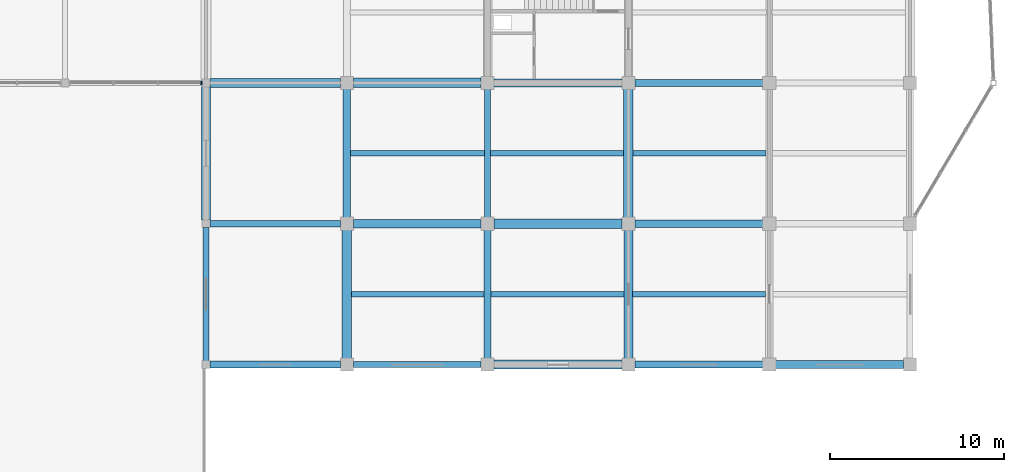
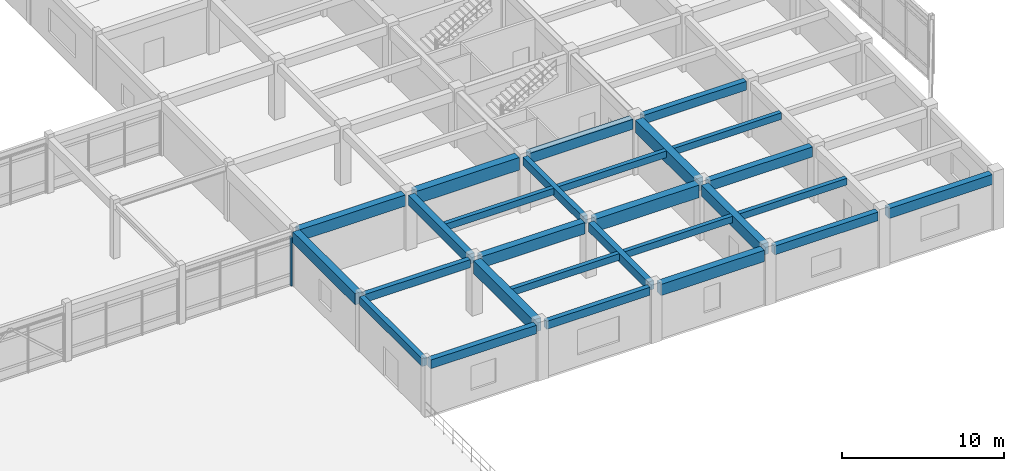
# One storey, part 36 of 89: 27 beams, 1 member, 1 element without a shape of its own.
"""IFC4 building model written with IfcOpenShell, lengths in metres."""

from ifc_helpers import new_model, si_unit, direction, frame, origin, origin_2d, place, context, subcontext, project, spatial, rectangle, extrude, material, layer, layer_set, material_profile, profile_set, type_object, element, aggregate, save


model = new_model("IFC4")

# Units and contexts
model_context = context("Model", 3, precision=1e-05, world=origin(), true_north=direction((0.0, 1.0)))
body_context = subcontext(model_context, "Body", "Model", "MODEL_VIEW")
ifc_project = project(units=[si_unit("LENGTHUNIT", "METRE"), si_unit("AREAUNIT", "SQUARE_METRE"), si_unit("VOLUMEUNIT", "CUBIC_METRE"), si_unit("PLANEANGLEUNIT", "RADIAN"), si_unit("MASSUNIT", "GRAM", prefix="KILO")], contexts=[model_context])

# Site, building, storey
site_placement = place(None, origin())
site = spatial("IfcSite", under=ifc_project, at=site_placement, CompositionType="ELEMENT")
building_placement = place(site_placement, origin())
building = spatial("IfcBuilding", under=site, at=building_placement, Name="Vaudrelin Polytechnic", CompositionType="ELEMENT")
storey_placement = place(building_placement, frame((0.0, 0.0, 9.68994140625)))
storey = spatial("IfcBuildingStorey", under=building, at=storey_placement, Name="L02", CompositionType="ELEMENT", Elevation=9.68994140625)

# Beams
ifc_material_1 = material(Name="Concrete 40 MPa", Category="concrete")
ifc_material_profile_1 = material_profile(ifc_material_1, rectangle(XDim=0.35009765625, YDim=0.60009765625, at=origin_2d()), Name="RC350x600")
ifc_profile_set_1 = profile_set([ifc_material_profile_1], Name="Concrete 40 MPa")
beam_type_1 = type_object("IfcBeamType", Name="BM-BM-RC3560", PredefinedType="BEAM", material=ifc_profile_set_1)
beam_1_placement = place(storey_placement, frame((129.60009765625, 16.409912109375, 3.840087890625), z_axis=(0.0, 1.0, 0.0), x_axis=(-1.0, 0.0, 0.0)))
element("IfcBeam", 1, at=beam_1_placement, inside=storey, type_object=beam_type_1, Name="L02 Y-beam 17-3", PredefinedType="BEAM", context=body_context, shape_type="SweptSolid", body=[
    extrude(rectangle(XDim=0.35009765625, YDim=0.60009765625, at=origin_2d()), origin(), (0.0, 0.0, 1.0), 7.68017578125),
])
beam_2_placement = place(storey_placement, frame((145.800048828125, 24.659912109375, 3.840087890625), z_axis=(0.0, 1.0, 0.0), x_axis=(-1.0, 0.0, 0.0)))
element("IfcBeam", 2, at=beam_2_placement, inside=storey, type_object=beam_type_1, Name="L02 Y-beam 19-4", PredefinedType="BEAM", context=body_context, shape_type="SweptSolid", body=[
    extrude(rectangle(XDim=0.35009765625, YDim=0.60009765625, at=origin_2d()), origin(), (0.0, 0.0, 1.0), 7.380126953125),
])
beam_3_placement = place(storey_placement, frame((129.821044921875, 24.300048828125, 3.840087890625), z_axis=(1.0, 0.0, 0.0), x_axis=(0.0, 1.0, 0.0)))
element("IfcBeam", 3, at=beam_3_placement, inside=storey, type_object=beam_type_1, Name="L02 X-beam 17-4", PredefinedType="BEAM", context=body_context, shape_type="SweptSolid", body=[
    extrude(rectangle(XDim=0.35009765625, YDim=0.60009765625, at=origin_2d()), origin(), (0.0, 0.0, 1.0), 7.508056640625),
])
beam_4_placement = place(storey_placement, frame((138.071044921875, 16.199951171875, 3.840087890625), z_axis=(1.0, 0.0, 0.0), x_axis=(0.0, 1.0, 0.0)))
element("IfcBeam", 4, at=beam_4_placement, inside=storey, type_object=beam_type_1, Name="L02 X-beam 18-3", PredefinedType="BEAM", context=body_context, shape_type="SweptSolid", body=[
    extrude(rectangle(XDim=0.35009765625, YDim=0.60009765625, at=origin_2d()), origin(), (0.0, 0.0, 1.0), 7.35791015625),
])
ifc_material_profile_2 = material_profile(ifc_material_1, rectangle(XDim=0.39990234375, YDim=0.64990234375, at=origin_2d()), Name="RC400x650")
ifc_profile_set_2 = profile_set([ifc_material_profile_2], Name="Concrete 40 MPa")
beam_type_2 = type_object("IfcBeamType", Name="BM-BM-RC4065", PredefinedType="BEAM", material=ifc_profile_set_2)
beam_5_placement = place(storey_placement, frame((145.800048828125, 16.56005859375, 3.81494140625), z_axis=(0.0, 1.0, 0.0), x_axis=(-1.0, 0.0, 0.0)))
element("IfcBeam", 5, at=beam_5_placement, inside=storey, type_object=beam_type_2, Name="L02 Y-beam 19-3", PredefinedType="BEAM", context=body_context, shape_type="SweptSolid", body=[
    extrude(rectangle(XDim=0.39990234375, YDim=0.64990234375, at=origin_2d()), origin(), (0.0, 0.0, 1.0), 7.3798828125),
])
beam_6_placement = place(storey_placement, frame((154.27099609375, 32.39990234375, 3.81494140625), z_axis=(1.0, 0.0, 0.0), x_axis=(0.0, 1.0, 0.0)))
element("IfcBeam", 6, at=beam_6_placement, inside=storey, type_object=beam_type_2, Name="L02 X-beam 20-5", PredefinedType="BEAM", context=body_context, shape_type="SweptSolid", body=[
    extrude(rectangle(XDim=0.39990234375, YDim=0.64990234375, at=origin_2d()), origin(), (0.0, 0.0, 1.0), 7.35791015625),
])
ifc_material_profile_3 = material_profile(ifc_material_1, rectangle(XDim=0.449951171875, YDim=0.75, at=origin_2d()), Name="RC450x750")
ifc_profile_set_3 = profile_set([ifc_material_profile_3], Name="Concrete 40 MPa")
beam_type_3 = type_object("IfcBeamType", Name="BM-BM-RC4575", PredefinedType="BEAM", material=ifc_profile_set_3)
beam_7_placement = place(storey_placement, frame((137.699951171875, 24.659912109375, 3.76513671875), z_axis=(0.0, 1.0, 0.0), x_axis=(-1.0, 0.0, 0.0)))
element("IfcBeam", 7, at=beam_7_placement, inside=storey, type_object=beam_type_3, Name="L02 Y-beam 18-4", PredefinedType="BEAM", context=body_context, shape_type="SweptSolid", body=[
    extrude(rectangle(XDim=0.449951171875, YDim=0.75, at=origin_2d()), origin(), (0.0, 0.0, 1.0), 7.380126953125),
])
beam_8_placement = place(storey_placement, frame((146.1708984375, 32.39990234375, 3.76513671875), z_axis=(1.0, 0.0, 0.0), x_axis=(0.0, 1.0, 0.0)))
element("IfcBeam", 8, at=beam_8_placement, inside=storey, type_object=beam_type_3, Name="L02 X-beam 19-5", PredefinedType="BEAM", context=body_context, shape_type="SweptSolid", body=[
    extrude(rectangle(XDim=0.449951171875, YDim=0.75, at=origin_2d()), origin(), (0.0, 0.0, 1.0), 7.358154296875),
])
for number, where, z_axis, x_axis, name in (
    (9, (154.27099609375, 24.300048828125, 3.76513671875), (1.0, 0.0, 0.0), (0.0, 1.0, 0.0), "L02 X-beam 20-4"),
    (10, (162.37109375, 16.199951171875, 3.76513671875), (1.0, 0.0, 0.0), (0.0, 1.0, 0.0), "L02 X-beam 21-3"),
):
    element("IfcBeam", number, at=place(storey_placement, frame(where, z_axis=z_axis, x_axis=x_axis)), inside=storey, type_object=beam_type_3, Name=name, PredefinedType="BEAM", context=body_context, shape_type="SweptSolid", body=[
        extrude(rectangle(XDim=0.449951171875, YDim=0.75, at=origin_2d()), origin(), (0.0, 0.0, 1.0), 7.35791015625),
    ])
ifc_material_profile_4 = material_profile(ifc_material_1, rectangle(XDim=0.5, YDim=0.85009765625, at=origin_2d()), Name="RC500x850")
ifc_profile_set_4 = profile_set([ifc_material_profile_4], Name="Concrete 40 MPa")
beam_type_4 = type_object("IfcBeamType", Name="BM-BM-RC5085", PredefinedType="BEAM", material=ifc_profile_set_4)
beam_9_placement = place(storey_placement, frame((129.60009765625, 24.510009765625, 3.715087890625), z_axis=(0.0, 1.0, 0.0), x_axis=(-1.0, 0.0, 0.0)))
element("IfcBeam", 11, at=beam_9_placement, inside=storey, type_object=beam_type_4, Name="L02 Y-beam 17-4", PredefinedType="BEAM", context=body_context, shape_type="SweptSolid", body=[
    extrude(rectangle(XDim=0.5, YDim=0.85009765625, at=origin_2d()), origin(), (0.0, 0.0, 1.0), 7.679931640625),
])
beam_10_placement = place(storey_placement, frame((153.89990234375, 16.56005859375, 3.715087890625), z_axis=(0.0, 1.0, 0.0), x_axis=(-1.0, 0.0, 0.0)))
element("IfcBeam", 12, at=beam_10_placement, inside=storey, type_object=beam_type_4, Name="L02 Y-beam 20-3", PredefinedType="BEAM", context=body_context, shape_type="SweptSolid", body=[
    extrude(rectangle(XDim=0.5, YDim=0.85009765625, at=origin_2d()), origin(), (0.0, 0.0, 1.0), 7.3798828125),
])
beam_11_placement = place(storey_placement, frame((129.821044921875, 32.39990234375, 3.715087890625), z_axis=(1.0, 0.0, 0.0), x_axis=(0.0, 1.0, 0.0)))
element("IfcBeam", 13, at=beam_11_placement, inside=storey, type_object=beam_type_4, Name="L02 X-beam 17-5", PredefinedType="BEAM", context=body_context, shape_type="SweptSolid", body=[
    extrude(rectangle(XDim=0.5, YDim=0.85009765625, at=origin_2d()), origin(), (0.0, 0.0, 1.0), 7.508056640625),
])
beam_12_placement = place(storey_placement, frame((138.071044921875, 24.300048828125, 3.715087890625), z_axis=(1.0, 0.0, 0.0), x_axis=(0.0, 1.0, 0.0)))
element("IfcBeam", 14, at=beam_12_placement, inside=storey, type_object=beam_type_4, Name="L02 X-beam 18-4", PredefinedType="BEAM", context=body_context, shape_type="SweptSolid", body=[
    extrude(rectangle(XDim=0.5, YDim=0.85009765625, at=origin_2d()), origin(), (0.0, 0.0, 1.0), 7.35791015625),
])
beam_13_placement = place(storey_placement, frame((146.1708984375, 16.199951171875, 3.715087890625), z_axis=(1.0, 0.0, 0.0), x_axis=(0.0, 1.0, 0.0)))
element("IfcBeam", 15, at=beam_13_placement, inside=storey, type_object=beam_type_4, Name="L02 X-beam 19-3", PredefinedType="BEAM", context=body_context, shape_type="SweptSolid", body=[
    extrude(rectangle(XDim=0.5, YDim=0.85009765625, at=origin_2d()), origin(), (0.0, 0.0, 1.0), 7.358154296875),
])
ifc_material_2 = material(Name="Concrete 50 MPa", Category="concrete")
ifc_material_profile_5 = material_profile(ifc_material_2, rectangle(XDim=0.550048828125, YDim=0.949951171875, at=origin_2d()), Name="RC550x950")
ifc_profile_set_5 = profile_set([ifc_material_profile_5], Name="Concrete 50 MPa")
beam_type_5 = type_object("IfcBeamType", Name="BM-BM-RC5595", PredefinedType="BEAM", material=ifc_profile_set_5)
beam_14_placement = place(storey_placement, frame((137.699951171875, 16.56005859375, 3.6650390625), z_axis=(0.0, 1.0, 0.0), x_axis=(-1.0, 0.0, 0.0)))
element("IfcBeam", 16, at=beam_14_placement, inside=storey, type_object=beam_type_5, Name="L02 Y-beam 18-3", PredefinedType="BEAM", context=body_context, shape_type="SweptSolid", body=[
    extrude(rectangle(XDim=0.550048828125, YDim=0.949951171875, at=origin_2d()), origin(), (0.0, 0.0, 1.0), 7.3798828125),
])
beam_15_placement = place(storey_placement, frame((153.89990234375, 24.659912109375, 3.6650390625), z_axis=(0.0, 1.0, 0.0), x_axis=(-1.0, 0.0, 0.0)))
element("IfcBeam", 17, at=beam_15_placement, inside=storey, type_object=beam_type_5, Name="L02 Y-beam 20-4", PredefinedType="BEAM", context=body_context, shape_type="SweptSolid", body=[
    extrude(rectangle(XDim=0.550048828125, YDim=0.949951171875, at=origin_2d()), origin(), (0.0, 0.0, 1.0), 7.380126953125),
])
beam_16_placement = place(storey_placement, frame((138.071044921875, 32.39990234375, 3.6650390625), z_axis=(1.0, 0.0, 0.0), x_axis=(0.0, 1.0, 0.0)))
element("IfcBeam", 18, at=beam_16_placement, inside=storey, type_object=beam_type_5, Name="L02 X-beam 18-5", PredefinedType="BEAM", context=body_context, shape_type="SweptSolid", body=[
    extrude(rectangle(XDim=0.550048828125, YDim=0.949951171875, at=origin_2d()), origin(), (0.0, 0.0, 1.0), 7.35791015625),
])
beam_17_placement = place(storey_placement, frame((146.1708984375, 24.300048828125, 3.6650390625), z_axis=(1.0, 0.0, 0.0), x_axis=(0.0, 1.0, 0.0)))
element("IfcBeam", 19, at=beam_17_placement, inside=storey, type_object=beam_type_5, Name="L02 X-beam 19-4", PredefinedType="BEAM", context=body_context, shape_type="SweptSolid", body=[
    extrude(rectangle(XDim=0.550048828125, YDim=0.949951171875, at=origin_2d()), origin(), (0.0, 0.0, 1.0), 7.358154296875),
])
ifc_material_profile_6 = material_profile(ifc_material_1, rectangle(XDim=0.300048828125, YDim=0.5, at=origin_2d()), Name="RC300x500")
ifc_profile_set_6 = profile_set([ifc_material_profile_6], Name="Concrete 40 MPa")
beam_type_6 = type_object("IfcBeamType", Name="BM-JS-RC3050", PredefinedType="JOIST", material=ifc_profile_set_6)
beam_18_placement = place(storey_placement, frame((137.970947265625, 20.25, 3.89013671875), z_axis=(1.0, 0.0, 0.0), x_axis=(0.0, 1.0, 0.0)))
element("IfcBeam", 20, at=beam_18_placement, inside=storey, type_object=beam_type_6, Name="L02 floor joist 18-3", PredefinedType="JOIST", context=body_context, shape_type="SweptSolid", body=[
    extrude(rectangle(XDim=0.300048828125, YDim=0.5, at=origin_2d()), origin(), (0.0, 0.0, 1.0), 7.633056640625),
])
beam_19_placement = place(storey_placement, frame((137.9208984375, 28.35009765625, 3.89013671875), z_axis=(1.0, 0.0, 0.0), x_axis=(0.0, 1.0, 0.0)))
element("IfcBeam", 21, at=beam_19_placement, inside=storey, type_object=beam_type_6, Name="L02 floor joist 18-4", PredefinedType="JOIST", context=body_context, shape_type="SweptSolid", body=[
    extrude(rectangle(XDim=0.300048828125, YDim=0.5, at=origin_2d()), origin(), (0.0, 0.0, 1.0), 7.7080078125),
])
for number, where, z_axis, x_axis, name in (
    (22, (145.99609375, 20.25, 3.89013671875), (1.0, 0.0, 0.0), (0.0, 1.0, 0.0), "L02 floor joist 19-3"),
    (23, (145.970947265625, 28.35009765625, 3.89013671875), (1.0, 0.0, 0.0), (0.0, 1.0, 0.0), "L02 floor joist 19-4"),
):
    element("IfcBeam", number, at=place(storey_placement, frame(where, z_axis=z_axis, x_axis=x_axis)), inside=storey, type_object=beam_type_6, Name=name, PredefinedType="JOIST", context=body_context, shape_type="SweptSolid", body=[
        extrude(rectangle(XDim=0.300048828125, YDim=0.5, at=origin_2d()), origin(), (0.0, 0.0, 1.0), 7.657958984375),
    ])
for number, where, z_axis, x_axis, name in (
    (24, (154.14599609375, 20.25, 3.89013671875), (1.0, 0.0, 0.0), (0.0, 1.0, 0.0), "L02 floor joist 20-3"),
    (25, (154.1708984375, 28.35009765625, 3.89013671875), (1.0, 0.0, 0.0), (0.0, 1.0, 0.0), "L02 floor joist 20-4"),
):
    element("IfcBeam", number, at=place(storey_placement, frame(where, z_axis=z_axis, x_axis=x_axis)), inside=storey, type_object=beam_type_6, Name=name, PredefinedType="JOIST", context=body_context, shape_type="SweptSolid", body=[
        extrude(rectangle(XDim=0.300048828125, YDim=0.5, at=origin_2d()), origin(), (0.0, 0.0, 1.0), 7.633056640625),
    ])
ifc_material_profile_7 = material_profile(ifc_material_1, rectangle(XDim=0.39990234375, YDim=0.64990234375, at=origin_2d()), Name="RC400x650")
ifc_profile_set_7 = profile_set([ifc_material_profile_7], Name="Concrete 40 MPa")
beam_type_7 = type_object("IfcBeamType", Name="BM-SP-RC4065", PredefinedType="SPANDREL", material=ifc_profile_set_7)
beam_20_placement = place(storey_placement, frame((129.821044921875, 16.199951171875, 3.81494140625), z_axis=(1.0, 0.0, 0.0), x_axis=(0.0, 1.0, 0.0)))
element("IfcBeam", 26, at=beam_20_placement, inside=storey, type_object=beam_type_7, Name="L02 X-beam 17-3", PredefinedType="SPANDREL", context=body_context, shape_type="SweptSolid", body=[
    extrude(rectangle(XDim=0.39990234375, YDim=0.64990234375, at=origin_2d()), origin(), (0.0, 0.0, 1.0), 7.508056640625),
])
beam_21_placement = place(storey_placement, frame((154.27099609375, 16.199951171875, 3.81494140625), z_axis=(1.0, 0.0, 0.0), x_axis=(0.0, 1.0, 0.0)))
element("IfcBeam", 27, at=beam_21_placement, inside=storey, type_object=beam_type_7, Name="L02 X-beam 20-3", PredefinedType="SPANDREL", context=body_context, shape_type="SweptSolid", body=[
    extrude(rectangle(XDim=0.39990234375, YDim=0.64990234375, at=origin_2d()), origin(), (0.0, 0.0, 1.0), 7.35791015625),
])

# Curtain wall, member
ifc_material_3 = material(Name="Thermally broken anodised aluminium AA 6063-T6 and low-e triple glazing", Category="aluminium")
ifc_layer = layer(ifc_material_3, 0.199951171875)
ifc_layer_set = layer_set([ifc_layer], Name="Thermally broken anodised aluminium AA 6063-T6 and low-e triple glazing")
curtain_wall_type = type_object("IfcCurtainWallType", Name="CW-CW-WG", PredefinedType="USERDEFINED", material=ifc_layer_set)
curtain_wall_placement = place(storey_placement, origin())
curtain_wall = element("IfcCurtainWall", 28, at=curtain_wall_placement, inside=storey, type_object=curtain_wall_type, Name="Curtain wall L02 S_V6E_03", ObjectType="CURTAIN WALL", PredefinedType="USERDEFINED")
ifc_material_4 = material(Name="Anodised aluminium AA 6063-T6", Category="aluminium")
ifc_material_profile_8 = material_profile(ifc_material_4, rectangle(XDim=0.074951171875, YDim=0.219970703125, at=origin_2d()), Name="CWM-75x220")
ifc_profile_set_8 = profile_set([ifc_material_profile_8], Name="Anodised aluminium AA 6063-T6")
member_type = type_object("IfcMemberType", Name="MEM-CWM-220", PredefinedType="MULLION", material=ifc_profile_set_8)
member_placement = place(storey_placement, frame((129.3369140625, 32.39990234375, 0.0), z_axis=(0.0, 0.0, 1.0), x_axis=(1.0, 0.0, 0.0)))
member = element("IfcMember", 29, at=member_placement, type_object=member_type, Name="S_V6E_03 mullion 4", PredefinedType="MULLION", context=body_context, shape_type="SweptSolid", body=[
    extrude(rectangle(XDim=0.074951171875, YDim=0.219970703125, at=origin_2d()), origin(), (0.0, 0.0, 1.0), 3.678955078125),
])
aggregate(curtain_wall, [member])

save(model, "model.ifc")
